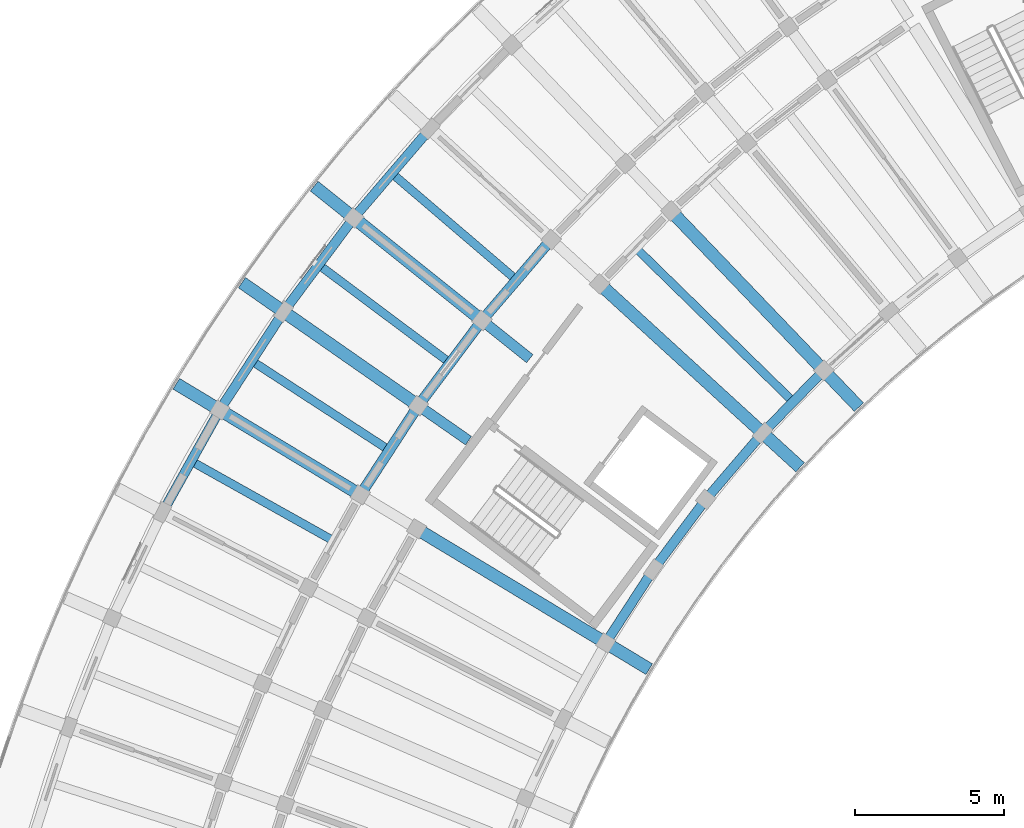
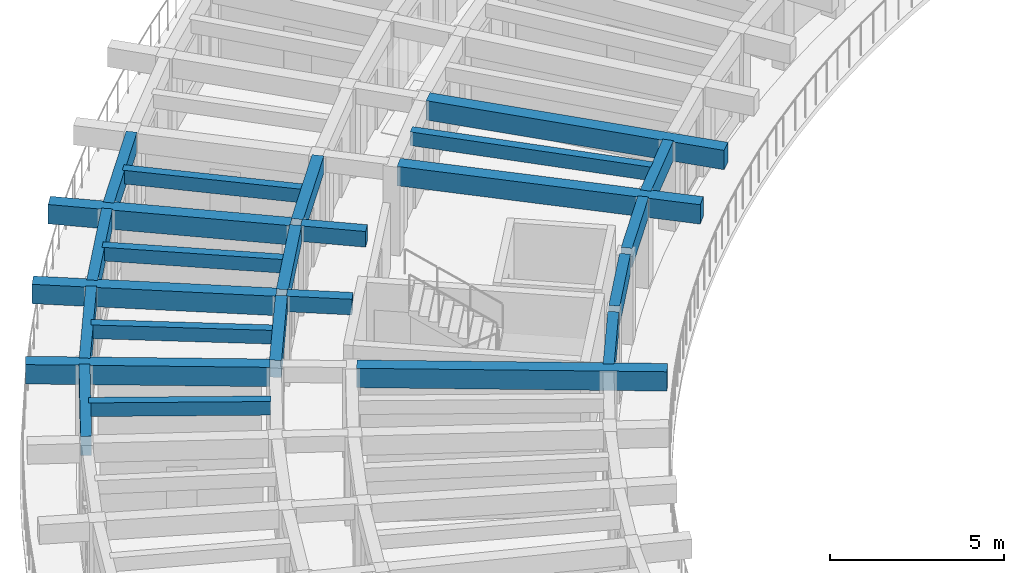
# One storey, part 6 of 56: 24 beams.
"""IFC4 building model written with IfcOpenShell, lengths in metres."""

from ifc_helpers import new_model, si_unit, direction, frame, origin, origin_2d, place, context, subcontext, project, spatial, rectangle, extrude, material, material_profile, profile_set, type_object, element, save


model = new_model("IFC4")

# Units and contexts
model_context = context("Model", 3, precision=1e-05, world=origin(), true_north=direction((0.0, 1.0)))
body_context = subcontext(model_context, "Body", "Model", "MODEL_VIEW")
ifc_project = project(units=[si_unit("LENGTHUNIT", "METRE"), si_unit("AREAUNIT", "SQUARE_METRE"), si_unit("VOLUMEUNIT", "CUBIC_METRE"), si_unit("PLANEANGLEUNIT", "RADIAN"), si_unit("MASSUNIT", "GRAM", prefix="KILO")], contexts=[model_context])

# Site, building, storey
site_placement = place(None, origin())
site = spatial("IfcSite", under=ifc_project, at=site_placement, CompositionType="ELEMENT")
building_placement = place(site_placement, origin())
building = spatial("IfcBuilding", under=site, at=building_placement, Name="Tanwirah Colonnade Gardens", CompositionType="ELEMENT")
storey_placement = place(building_placement, frame((0.0, 0.0, 29.0)))
storey = spatial("IfcBuildingStorey", under=building, at=storey_placement, Name="L08", CompositionType="ELEMENT", Elevation=29.0)

# Beams
ifc_material_1 = material(Name="Precast concrete C40/50", Category="concrete")
ifc_material_profile_1 = material_profile(ifc_material_1, rectangle(XDim=0.35009765625, YDim=0.550048828125, at=origin_2d()), Name="PC-BM 350x550")
ifc_profile_set_1 = profile_set([ifc_material_profile_1], Name="Precast concrete C40/50")
beam_type_1 = type_object("IfcBeamType", Name="BM-PC350A", PredefinedType="BEAM", material=ifc_profile_set_1)
for number, where, z_axis, x_axis, name in (
    (1, (24.398681640625, 92.68896484375, 2.840087890625), (-0.78073089418, 0.624867402633, 0.0), (-0.624867402633, -0.78073089418, 0.0), "Block A L08 Corridor Tie Beam 12"),
    (2, (22.346435546875, 89.943359375, 2.840087890625), (-0.820305001782, 0.571926309983, 0.0), (-0.571926309983, -0.820305001782, 0.0), "Block A L08 Corridor Tie Beam 13"),
):
    element("IfcBeam", number, at=place(storey_placement, frame(where, z_axis=z_axis, x_axis=x_axis)), inside=storey, type_object=beam_type_1, Name=name, PredefinedType="BEAM", context=body_context, shape_type="SweptSolid", body=[
        extrude(rectangle(XDim=0.35009765625, YDim=0.550048828125, at=origin_2d()), origin(), (0.0, 0.0, 1.0), 1.89990234375),
    ])
ifc_material_profile_2 = material_profile(ifc_material_1, rectangle(XDim=0.35009765625, YDim=0.60009765625, at=origin_2d()), Name="PC-BM 350x600")
ifc_profile_set_2 = profile_set([ifc_material_profile_2], Name="Precast concrete C40/50")
beam_type_2 = type_object("IfcBeamType", Name="BM-PC350B", PredefinedType="BEAM", material=ifc_profile_set_2)
beam_1_placement = place(storey_placement, frame((25.017333984375, 96.56298828125, 2.81494140625), z_axis=(-0.650218192342, -0.759747525398, 0.0), x_axis=(0.759747525398, -0.650218192342, 0.0)))
element("IfcBeam", 3, at=beam_1_placement, inside=storey, type_object=beam_type_2, Name="Block A L08 Circumferential Beam 11-R2", PredefinedType="BEAM", context=body_context, shape_type="SweptSolid", body=[
    extrude(rectangle(XDim=0.35009765625, YDim=0.60009765625, at=origin_2d()), origin(), (0.0, 0.0, 1.0), 3.26318359375),
])
for number, where, z_axis, x_axis, name in (
    (4, (22.708251953125, 93.849609375, 2.81494140625), (-0.59871829396, -0.800959677186, 0.0), (0.800959677186, -0.59871829396, 0.0), "Block A L08 Circumferential Beam 12-R2"),
    (5, (20.5830078125, 90.989990234375, 2.81494140625), (-0.544627998385, -0.838677735114, 0.0), (0.838677735114, -0.544627998385, 0.0), "Block A L08 Circumferential Beam 13-R2"),
):
    element("IfcBeam", number, at=place(storey_placement, frame(where, z_axis=z_axis, x_axis=x_axis)), inside=storey, type_object=beam_type_2, Name=name, PredefinedType="BEAM", context=body_context, shape_type="SweptSolid", body=[
        extrude(rectangle(XDim=0.35009765625, YDim=0.60009765625, at=origin_2d()), origin(), (0.0, 0.0, 1.0), 3.262939453125),
    ])
ifc_material_2 = material(Name="Precast concrete C45/55", Category="concrete")
ifc_material_profile_3 = material_profile(ifc_material_2, rectangle(XDim=0.419921875, YDim=0.679931640625, at=origin_2d()), Name="PC-BM 420x680")
ifc_profile_set_3 = profile_set([ifc_material_profile_3], Name="Precast concrete C45/55")
beam_type_3 = type_object("IfcBeamType", Name="BM-PC420", PredefinedType="BEAM", material=ifc_profile_set_3)
for number, where, z_axis, x_axis, name in (
    (6, (29.230712890625, 97.52880859375, 2.77490234375), (0.691860926595, -0.722030787606, 0.0), (0.722030787606, 0.691860926595, 0.0), "Block A L08 Inner Radial Precast Girder 10"),
    (7, (26.848876953125, 95.091064453125, 2.77490234375), (0.737937205818, -0.674869380154, 0.0), (0.674869380154, 0.737937205818, 0.0), "Block A L08 Inner Radial Precast Girder 11"),
):
    element("IfcBeam", number, at=place(storey_placement, frame(where, z_axis=z_axis, x_axis=x_axis)), inside=storey, type_object=beam_type_3, Name=name, PredefinedType="BEAM", context=body_context, shape_type="SweptSolid", body=[
        extrude(rectangle(XDim=0.419921875, YDim=0.679931640625, at=origin_2d()), origin(), (0.0, 0.0, 1.0), 8.949951171875),
    ])
for number, where, z_axis, x_axis, name in (
    (8, (22.680908203125, 94.0634765625, 2.77490234375), (-0.780794476885, 0.624787951921, 0.0), (-0.624787951921, -0.780794476885, 0.0), "Block A L08 Outer Radial Precast Girder 12"),
    (9, (20.541748046875, 91.20166015625, 2.77490234375), (-0.820270158139, 0.571976282433, 0.0), (-0.571976282433, -0.820270158139, 0.0), "Block A L08 Outer Radial Precast Girder 13"),
):
    element("IfcBeam", number, at=place(storey_placement, frame(where, z_axis=z_axis, x_axis=x_axis)), inside=storey, type_object=beam_type_3, Name=name, PredefinedType="BEAM", context=body_context, shape_type="SweptSolid", body=[
        extrude(rectangle(XDim=0.419921875, YDim=0.679931640625, at=origin_2d()), origin(), (0.0, 0.0, 1.0), 7.050048828125),
    ])
beam_2_placement = place(storey_placement, frame((20.736083984375, 86.913330078125, 2.77490234375), z_axis=(0.856168728297, -0.516696340887, 0.0), x_axis=(0.516696340887, 0.856168728297, 0.0)))
element("IfcBeam", 10, at=beam_2_placement, inside=storey, type_object=beam_type_3, Name="Block A L08 Inner Radial Precast Girder 14", PredefinedType="BEAM", context=body_context, shape_type="SweptSolid", body=[
    extrude(rectangle(XDim=0.419921875, YDim=0.679931640625, at=origin_2d()), origin(), (0.0, 0.0, 1.0), 8.9501953125),
])
beam_3_placement = place(storey_placement, frame((18.595703125, 88.205078125, 2.77490234375), z_axis=(-0.856157813984, 0.516714425533, 0.0), x_axis=(-0.516714425533, -0.856157813984, 0.0)))
element("IfcBeam", 11, at=beam_3_placement, inside=storey, type_object=beam_type_3, Name="Block A L08 Outer Radial Precast Girder 14", PredefinedType="BEAM", context=body_context, shape_type="SweptSolid", body=[
    extrude(rectangle(XDim=0.419921875, YDim=0.679931640625, at=origin_2d()), origin(), (0.0, 0.0, 1.0), 7.050048828125),
])
ifc_material_profile_4 = material_profile(ifc_material_1, rectangle(XDim=0.280029296875, YDim=0.47998046875, at=origin_2d()), Name="PC-JST 280x480")
ifc_profile_set_4 = profile_set([ifc_material_profile_4], Name="Precast concrete C40/50")
beam_type_4 = type_object("IfcBeamType", Name="JST-PC280", PredefinedType="JOIST", material=ifc_profile_set_4)
beam_4_placement = place(storey_placement, frame((33.11962890625, 91.346923828125, 2.875), z_axis=(-0.715276680509, 0.698841377081, 0.0), x_axis=(-0.698841377081, -0.715276680509, 0.0)))
element("IfcBeam", 12, at=beam_4_placement, inside=storey, type_object=beam_type_4, Name="Block A L08 Inner Precast Floor Joist 10", PredefinedType="JOIST", context=body_context, shape_type="SweptSolid", body=[
    extrude(rectangle(XDim=0.280029296875, YDim=0.47998046875, at=origin_2d()), origin(), (0.0, 0.0, 1.0), 7.159912109375),
])
beam_5_placement = place(storey_placement, frame((23.843017578125, 95.42041015625, 2.875), z_axis=(-0.759770723643, 0.65019108537, 0.0), x_axis=(-0.65019108537, -0.759770723643, 0.0)))
element("IfcBeam", 13, at=beam_5_placement, inside=storey, type_object=beam_type_4, Name="Block A L08 Precast Floor Joist 11", PredefinedType="JOIST", context=body_context, shape_type="SweptSolid", body=[
    extrude(rectangle(XDim=0.280029296875, YDim=0.47998046875, at=origin_2d()), origin(), (0.0, 0.0, 1.0), 5.26025390625),
])
beam_6_placement = place(storey_placement, frame((21.61181640625, 92.63232421875, 2.875), z_axis=(-0.800973647215, 0.598699604533, 0.0), x_axis=(-0.598699604533, -0.800973647215, 0.0)))
element("IfcBeam", 14, at=beam_6_placement, inside=storey, type_object=beam_type_4, Name="Block A L08 Precast Floor Joist 12", PredefinedType="JOIST", context=body_context, shape_type="SweptSolid", body=[
    extrude(rectangle(XDim=0.280029296875, YDim=0.47998046875, at=origin_2d()), origin(), (0.0, 0.0, 1.0), 5.260009765625),
])
beam_7_placement = place(storey_placement, frame((19.5693359375, 89.703125, 2.875), z_axis=(-0.83868742622, 0.544613074669, 0.0), x_axis=(-0.544613074669, -0.83868742622, 0.0)))
element("IfcBeam", 15, at=beam_7_placement, inside=storey, type_object=beam_type_4, Name="Block A L08 Precast Floor Joist 13", PredefinedType="JOIST", context=body_context, shape_type="SweptSolid", body=[
    extrude(rectangle(XDim=0.280029296875, YDim=0.47998046875, at=origin_2d()), origin(), (0.0, 0.0, 1.0), 5.26025390625),
])
beam_8_placement = place(storey_placement, frame((17.72412109375, 86.645751953125, 2.875), z_axis=(-0.872737031138, 0.488190612855, 0.0), x_axis=(-0.488190612855, -0.872737031138, 0.0)))
element("IfcBeam", 16, at=beam_8_placement, inside=storey, type_object=beam_type_4, Name="Block A L08 Precast Floor Joist 14", PredefinedType="JOIST", context=body_context, shape_type="SweptSolid", body=[
    extrude(rectangle(XDim=0.280029296875, YDim=0.47998046875, at=origin_2d()), origin(), (0.0, 0.0, 1.0), 5.260009765625),
])
ifc_material_profile_5 = material_profile(ifc_material_2, rectangle(XDim=0.320068359375, YDim=0.679931640625, at=origin_2d()), Name="PC-SP 320x680")
ifc_profile_set_5 = profile_set([ifc_material_profile_5], Name="Precast concrete C45/55")
beam_type_5 = type_object("IfcBeamType", Name="SP-PC320", PredefinedType="SPANDREL", material=ifc_profile_set_5)
beam_9_placement = place(storey_placement, frame((34.141845703125, 92.186767578125, 2.77490234375), z_axis=(-0.698844462704, -0.715273665772, 0.0), x_axis=(0.715273665772, -0.698844462704, 0.0)))
element("IfcBeam", 17, at=beam_9_placement, inside=storey, type_object=beam_type_5, Name="Block A L08 Circumferential Beam 10-R0", PredefinedType="SPANDREL", context=body_context, shape_type="SweptSolid", body=[
    extrude(rectangle(XDim=0.320068359375, YDim=0.679931640625, at=origin_2d()), origin(), (0.0, 0.0, 1.0), 2.630126953125),
])
beam_10_placement = place(storey_placement, frame((32.101318359375, 90.084228515625, 2.77490234375), z_axis=(-0.650172023628, -0.759787035749, 0.0), x_axis=(0.759787035749, -0.650172023628, 0.0)))
element("IfcBeam", 18, at=beam_10_placement, inside=storey, type_object=beam_type_5, Name="Block A L08 Circumferential Beam 11-R0", PredefinedType="SPANDREL", context=body_context, shape_type="SweptSolid", body=[
    extrude(rectangle(XDim=0.320068359375, YDim=0.679931640625, at=origin_2d()), origin(), (0.0, 0.0, 1.0), 2.63037109375),
])
beam_11_placement = place(storey_placement, frame((20.95849609375, 100.27490234375, 2.77490234375), z_axis=(-0.65013123267, -0.75982193987, 0.0), x_axis=(0.75982193987, -0.65013123267, 0.0)))
element("IfcBeam", 19, at=beam_11_placement, inside=storey, type_object=beam_type_5, Name="Block A L08 Circumferential Beam 11-R3", PredefinedType="SPANDREL", context=body_context, shape_type="SweptSolid", body=[
    extrude(rectangle(XDim=0.320068359375, YDim=0.679931640625, at=origin_2d()), origin(), (0.0, 0.0, 1.0), 3.625732421875),
])
beam_12_placement = place(storey_placement, frame((30.203857421875, 87.851806640625, 2.77490234375), z_axis=(-0.598662613551, -0.80100129534, 0.0), x_axis=(0.80100129534, -0.598662613551, 0.0)))
element("IfcBeam", 20, at=beam_12_placement, inside=storey, type_object=beam_type_5, Name="Block A L08 Circumferential Beam 12-R0", PredefinedType="SPANDREL", context=body_context, shape_type="SweptSolid", body=[
    extrude(rectangle(XDim=0.320068359375, YDim=0.679931640625, at=origin_2d()), origin(), (0.0, 0.0, 1.0), 2.63037109375),
])
beam_13_placement = place(storey_placement, frame((18.413818359375, 97.285888671875, 2.77490234375), z_axis=(-0.598695554058, -0.800976674786, 0.0), x_axis=(0.800976674786, -0.598695554058, 0.0)))
element("IfcBeam", 21, at=beam_13_placement, inside=storey, type_object=beam_type_5, Name="Block A L08 Circumferential Beam 12-R3", PredefinedType="SPANDREL", context=body_context, shape_type="SweptSolid", body=[
    extrude(rectangle(XDim=0.320068359375, YDim=0.679931640625, at=origin_2d()), origin(), (0.0, 0.0, 1.0), 3.625732421875),
])
beam_14_placement = place(storey_placement, frame((28.45751953125, 85.4990234375, 2.77490234375), z_axis=(-0.544570677829, -0.838714955661, 0.0), x_axis=(0.838714955661, -0.544570677829, 0.0)))
element("IfcBeam", 22, at=beam_14_placement, inside=storey, type_object=beam_type_5, Name="Block A L08 Circumferential Beam 13-R0", PredefinedType="SPANDREL", context=body_context, shape_type="SweptSolid", body=[
    extrude(rectangle(XDim=0.320068359375, YDim=0.679931640625, at=origin_2d()), origin(), (0.0, 0.0, 1.0), 2.63037109375),
])
for number, where, z_axis, x_axis, name in (
    (23, (16.071533203125, 94.135986328125, 2.77490234375), (-0.544621436184, -0.838681996497, 0.0), (0.838681996497, -0.544621436184, 0.0), "Block A L08 Circumferential Beam 13-R3"),
    (24, (13.942138671875, 90.838623046875, 2.77490234375), (-0.488236312193, -0.872711466326, 0.0), (0.872711466326, -0.488236312193, 0.0), "Block A L08 Circumferential Beam 14-R3"),
):
    element("IfcBeam", number, at=place(storey_placement, frame(where, z_axis=z_axis, x_axis=x_axis)), inside=storey, type_object=beam_type_5, Name=name, PredefinedType="SPANDREL", context=body_context, shape_type="SweptSolid", body=[
        extrude(rectangle(XDim=0.320068359375, YDim=0.679931640625, at=origin_2d()), origin(), (0.0, 0.0, 1.0), 3.625732421875),
    ])

save(model, "model.ifc")
